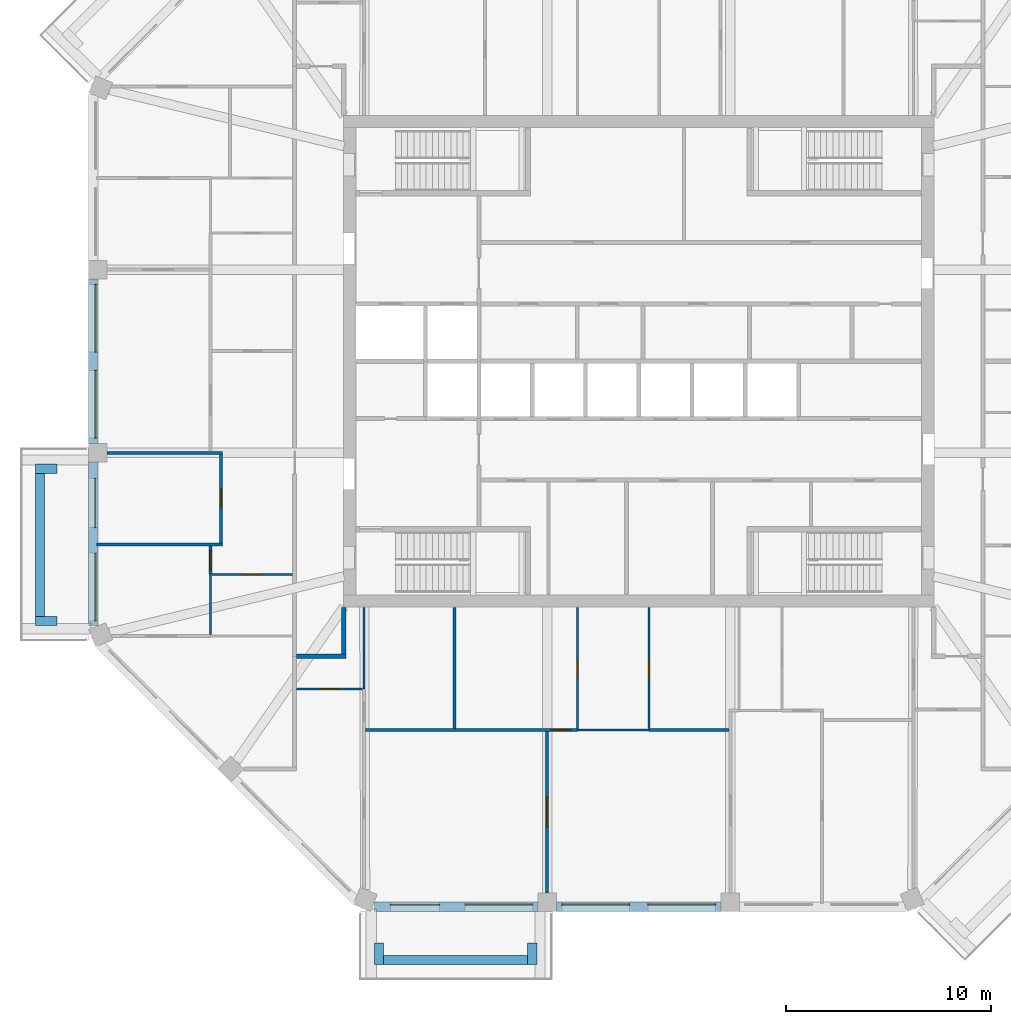
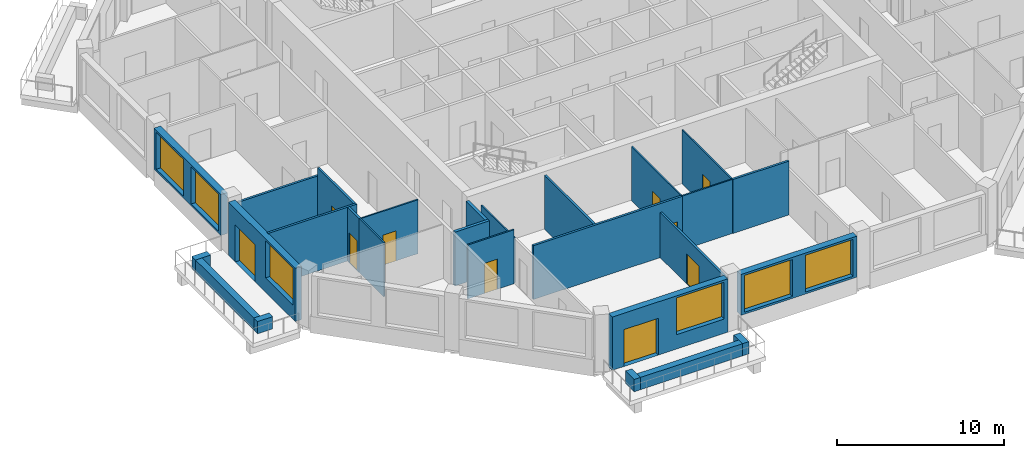
# One storey, part 3 of 11: 27 walls, 10 doors, 6 windows, 16 openings.
"""IFC4 building model written with IfcOpenShell, lengths in metres."""

from ifc_helpers import new_model, si_unit, direction, frame, frame_2d, origin, place, context, subcontext, project, spatial, rectangle, extrude, material, layer, layer_set, type_object, element, fill, save


model = new_model("IFC4")

# Units and contexts
model_context = context("Model", 3, precision=1e-05, world=origin(), true_north=direction((0.0, 1.0)))
body_context = subcontext(model_context, "Body", "Model", "MODEL_VIEW")
ifc_project = project(units=[si_unit("LENGTHUNIT", "METRE"), si_unit("AREAUNIT", "SQUARE_METRE"), si_unit("VOLUMEUNIT", "CUBIC_METRE"), si_unit("PLANEANGLEUNIT", "RADIAN"), si_unit("MASSUNIT", "GRAM", prefix="KILO")], contexts=[model_context])

# Site, building, storey
site_placement = place(None, origin())
site = spatial("IfcSite", under=ifc_project, at=site_placement, CompositionType="ELEMENT")
building_placement = place(site_placement, origin())
building = spatial("IfcBuilding", under=site, at=building_placement, Name="Msitu Wima Residences", CompositionType="ELEMENT")
storey_placement = place(building_placement, frame((0.0, 0.0, 268.5)))
storey = spatial("IfcBuildingStorey", under=building, at=storey_placement, Name="L62", CompositionType="ELEMENT", Elevation=268.5)

# Walls
ifc_material_1 = material(Name="Facing brick")
ifc_layer_1 = layer(ifc_material_1, 0.06494140625, Name="Facing brick")
ifc_material_2 = material(Name="Concrete C40/50", Category="concrete")
ifc_layer_2 = layer(ifc_material_2, 0.156005859375, Name="Concrete C40/50")
ifc_material_3 = material(Name="Waterproofing membrane")
ifc_layer_3 = layer(ifc_material_3, 0.00390625, Name="Waterproofing membrane")
ifc_material_4 = material(Name="Planting soil and planting")
ifc_layer_4 = layer(ifc_material_4, 0.22509765625, Name="Planting soil and planting")
ifc_layer_set_1 = layer_set([ifc_layer_1, ifc_layer_2, ifc_layer_3, ifc_layer_4], Name="Concrete C40/50")
wall_type_1 = type_object("IfcWallType", Name="Balcony planter PLANTER PL450", PredefinedType="USERDEFINED", material=ifc_layer_set_1)
wall_1_placement = place(storey_placement, frame((-29.22509765625, -5.468505859375, 0.0), z_axis=(0.0, 0.0, 1.0), x_axis=(0.0, -1.0, 0.0)))
element("IfcWall", 1, at=wall_1_placement, inside=storey, type_object=wall_type_1, Name="Balcony planter W2 L62", ObjectType="PLANTER", PredefinedType="USERDEFINED", context=body_context, shape_type="SweptSolid", body=[
    extrude(rectangle(XDim=6.9873046875, YDim=0.449951171875, at=frame_2d((3.49365234375, 0.0))), origin(), (0.0, 0.0, 1.0), 0.89990234375),
])
for number, where, z_axis, x_axis, name in (
    (2, (-28.39990234375, -5.24365234375, 0.0), (0.0, 0.0, 1.0), (-1.0, 0.0, 0.0), "Balcony planter W2 L62"),
    (3, (-28.39990234375, -12.680908203125, 0.0), (0.0, 0.0, 1.0), (-1.0, 0.0, 0.0), "Balcony planter W2 L62"),
):
    element("IfcWall", number, at=place(storey_placement, frame(where, z_axis=z_axis, x_axis=x_axis)), inside=storey, type_object=wall_type_1, Name=name, ObjectType="PLANTER", PredefinedType="USERDEFINED", context=body_context, shape_type="SweptSolid", body=[
        extrude(rectangle(XDim=1.050048828125, YDim=0.449951171875, at=frame_2d((0.52490234375, 0.0))), origin(), (0.0, 0.0, 1.0), 0.89990234375),
    ])
wall_2_placement = place(storey_placement, frame((-12.455810546875, -29.22509765625, 0.0), z_axis=(0.0, 0.0, 1.0), x_axis=(1.0, 0.0, 0.0)))
element("IfcWall", 4, at=wall_2_placement, inside=storey, type_object=wall_type_1, Name="Balcony planter S0 L62", ObjectType="PLANTER", PredefinedType="USERDEFINED", context=body_context, shape_type="SweptSolid", body=[
    extrude(rectangle(XDim=7.037109375, YDim=0.449951171875, at=frame_2d((3.5185546875, 0.0))), origin(), (0.0, 0.0, 1.0), 0.89990234375),
])
for number, where, z_axis, x_axis, name in (
    (5, (-12.680908203125, -28.39990234375, 0.0), (0.0, 0.0, 1.0), (0.0, -1.0, 0.0), "Balcony planter S0 L62"),
    (6, (-5.193603515625, -28.39990234375, 0.0), (0.0, 0.0, 1.0), (0.0, -1.0, 0.0), "Balcony planter S0 L62"),
):
    element("IfcWall", number, at=place(storey_placement, frame(where, z_axis=z_axis, x_axis=x_axis)), inside=storey, type_object=wall_type_1, Name=name, ObjectType="PLANTER", PredefinedType="USERDEFINED", context=body_context, shape_type="SweptSolid", body=[
        extrude(rectangle(XDim=1.050048828125, YDim=0.449951171875, at=frame_2d((0.52490234375, 0.0))), origin(), (0.0, 0.0, 1.0), 0.89990234375),
    ])

# Wall, openings, windows
ifc_material_5 = material(Name="Brick (red buff mix)", Category="masonry")
ifc_layer_5 = layer(ifc_material_5, 0.449951171875)
ifc_layer_set_2 = layer_set([ifc_layer_5], Name="Brick (red buff mix)")
wall_type_2 = type_object("IfcWallType", Name="Brick infill wall BW450", PredefinedType="SOLIDWALL", material=ifc_layer_set_2)
wall_3_placement = place(storey_placement, frame((-26.625, 4.0185546875, 0.89990234375), z_axis=(0.0, 0.0, 1.0), x_axis=(0.0, -1.0, 0.0)))
wall_3 = element("IfcWall", 7, at=wall_3_placement, inside=storey, type_object=wall_type_2, Name="Brick infill wall L62 W1", PredefinedType="SOLIDWALL", context=body_context, shape_type="SweptSolid", body=[
    extrude(rectangle(XDim=8.037109375, YDim=0.449951171875, at=frame_2d((4.0185546875, 0.0))), origin(), (0.0, 0.0, 1.0), 3.0),
])
opening_1_placement = place(wall_3_placement, frame((0.2685546875, 0.0, 0.14990234375)))
opening_1 = element("IfcOpeningElement", 8, at=opening_1_placement, cuts=wall_3, Name="Opening W60-62.031", PredefinedType="OPENING", context=body_context, shape_type="SweptSolid", body=[
    extrude(rectangle(XDim=3.300048828125, YDim=2.699951171875, at=frame_2d((1.64990234375, 1.35009765625))), frame((0.0, 0.23486328125, 0.0), z_axis=(0.0, -1.0, 0.0), x_axis=(1.0, 0.0, 0.0)), (0.0, 0.0, 1.0), 0.469970703125),
])
opening_2_placement = place(wall_3_placement, frame((4.46875, 0.0, 0.14990234375)))
opening_2 = element("IfcOpeningElement", 9, at=opening_2_placement, cuts=wall_3, Name="Opening W60-62.032", PredefinedType="OPENING", context=body_context, shape_type="SweptSolid", body=[
    extrude(rectangle(XDim=3.300048828125, YDim=2.699951171875, at=frame_2d((1.64990234375, 1.35009765625))), frame((0.0, 0.23486328125, 0.0), z_axis=(0.0, -1.0, 0.0), x_axis=(1.0, 0.0, 0.0)), (0.0, 0.0, 1.0), 0.469970703125),
])
ifc_material_6 = material(Name="Anodised aluminium, bronze finish, clear low-emissivity double glazing", Category="aluminium")
window_type = type_object("IfcWindowType", Name="Window W3300x2700", PartitioningType="DOUBLE_PANEL_VERTICAL", PredefinedType="WINDOW", material=ifc_material_6)
window_1_placement = place(opening_1_placement, origin())
window_1 = element("IfcWindow", 10, at=window_1_placement, inside=storey, type_object=window_type, Name="Window L62 W1.1", OverallHeight=2.699951171875, OverallWidth=3.300048828125, PartitioningType="SINGLE_PANEL", PredefinedType="WINDOW", context=body_context, shape_type="SweptSolid", body=[
    extrude(rectangle(XDim=3.300048828125, YDim=2.699951171875, at=frame_2d((1.64990234375, 1.35009765625))), frame((0.0, 0.135009765625, 0.0), z_axis=(0.0, -1.0, 0.0), x_axis=(1.0, 0.0, 0.0)), (0.0, 0.0, 1.0), 0.06005859375),
])
fill(opening_1, window_1)
window_2_placement = place(opening_2_placement, origin())
window_2 = element("IfcWindow", 11, at=window_2_placement, inside=storey, type_object=window_type, Name="Window L62 W1.2", OverallHeight=2.699951171875, OverallWidth=3.300048828125, PartitioningType="SINGLE_PANEL", PredefinedType="WINDOW", context=body_context, shape_type="SweptSolid", body=[
    extrude(rectangle(XDim=3.300048828125, YDim=2.699951171875, at=frame_2d((1.64990234375, 1.35009765625))), frame((0.0, 0.135009765625, 0.0), z_axis=(0.0, -1.0, 0.0), x_axis=(1.0, 0.0, 0.0)), (0.0, 0.0, 1.0), 0.06005859375),
])
fill(opening_2, window_2)

# Wall, openings, door, window
wall_4_placement = place(storey_placement, frame((-26.625, -4.918701171875, 0.0), z_axis=(0.0, 0.0, 1.0), x_axis=(0.0, -1.0, 0.0)))
wall_4 = element("IfcWall", 12, at=wall_4_placement, inside=storey, type_object=wall_type_2, Name="Brick infill wall L62 W2", PredefinedType="SOLIDWALL", context=body_context, shape_type="SweptSolid", body=[
    extrude(rectangle(XDim=8.0, YDim=0.449951171875, at=frame_2d((4.0, 0.0))), origin(), (0.0, 0.0, 1.0), 3.89990234375),
])
opening_3_placement = place(wall_4_placement, frame((0.800048828125, 0.0, 0.0)))
opening_3 = element("IfcOpeningElement", 13, at=opening_3_placement, cuts=wall_4, Name="Opening D60-62.007", PredefinedType="OPENING", context=body_context, shape_type="SweptSolid", body=[
    extrude(rectangle(XDim=2.39990234375, YDim=2.699951171875, at=frame_2d((1.199951171875, 1.35009765625))), frame((0.0, 0.23486328125, 0.0), z_axis=(0.0, -1.0, 0.0), x_axis=(1.0, 0.0, 0.0)), (0.0, 0.0, 1.0), 0.469970703125),
])
opening_4_placement = place(wall_4_placement, frame((4.4501953125, 0.0, 1.050048828125)))
opening_4 = element("IfcOpeningElement", 14, at=opening_4_placement, cuts=wall_4, Name="Opening W60-62.033", PredefinedType="OPENING", context=body_context, shape_type="SweptSolid", body=[
    extrude(rectangle(XDim=3.300048828125, YDim=2.699951171875, at=frame_2d((1.64990234375, 1.35009765625))), frame((0.0, 0.23486328125, 0.0), z_axis=(0.0, -1.0, 0.0), x_axis=(1.0, 0.0, 0.0)), (0.0, 0.0, 1.0), 0.469970703125),
])
door_type_1 = type_object("IfcDoorType", Name="Balcony door D2400x2700", OperationType="SLIDING_TO_LEFT", PredefinedType="DOOR", material=ifc_material_6)
door_1_placement = place(opening_3_placement, origin())
door_1 = element("IfcDoor", 15, at=door_1_placement, inside=storey, type_object=door_type_1, Name="Balcony door L62 W2", OperationType="SINGLE_SWING_LEFT", OverallHeight=2.699951171875, OverallWidth=2.39990234375, PredefinedType="DOOR", context=body_context, shape_type="SweptSolid", body=[
    extrude(rectangle(XDim=2.39990234375, YDim=2.699951171875, at=frame_2d((1.199951171875, 1.35009765625))), frame((0.0, 0.1298828125, 0.0), z_axis=(0.0, -1.0, 0.0), x_axis=(1.0, 0.0, 0.0)), (0.0, 0.0, 1.0), 0.050048828125),
])
fill(opening_3, door_1)
window_3_placement = place(opening_4_placement, origin())
window_3 = element("IfcWindow", 16, at=window_3_placement, inside=storey, type_object=window_type, Name="Window L62 W2.2", OverallHeight=2.699951171875, OverallWidth=3.300048828125, PartitioningType="SINGLE_PANEL", PredefinedType="WINDOW", context=body_context, shape_type="SweptSolid", body=[
    extrude(rectangle(XDim=3.300048828125, YDim=2.699951171875, at=frame_2d((1.64990234375, 1.35009765625))), frame((0.0, 0.135009765625, 0.0), z_axis=(0.0, -1.0, 0.0), x_axis=(1.0, 0.0, 0.0)), (0.0, 0.0, 1.0), 0.06005859375),
])
fill(opening_4, window_3)

wall_5_placement = place(storey_placement, frame((-12.918701171875, -26.625, 0.0), z_axis=(0.0, 0.0, 1.0), x_axis=(1.0, 0.0, 0.0)))
wall_5 = element("IfcWall", 17, at=wall_5_placement, inside=storey, type_object=wall_type_2, Name="Brick infill wall L62 S0", PredefinedType="SOLIDWALL", context=body_context, shape_type="SweptSolid", body=[
    extrude(rectangle(XDim=8.0, YDim=0.449951171875, at=frame_2d((4.0, 0.0))), origin(), (0.0, 0.0, 1.0), 3.89990234375),
])
opening_5_placement = place(wall_5_placement, frame((0.800048828125, 0.0, 0.0)))
opening_5 = element("IfcOpeningElement", 18, at=opening_5_placement, cuts=wall_5, Name="Opening D60-62.005", PredefinedType="OPENING", context=body_context, shape_type="SweptSolid", body=[
    extrude(rectangle(XDim=2.39990234375, YDim=2.699951171875, at=frame_2d((1.199951171875, 1.35009765625))), frame((0.0, 0.23486328125, 0.0), z_axis=(0.0, -1.0, 0.0), x_axis=(1.0, 0.0, 0.0)), (0.0, 0.0, 1.0), 0.469970703125),
])
opening_6_placement = place(wall_5_placement, frame((4.4501953125, 0.0, 1.050048828125)))
opening_6 = element("IfcOpeningElement", 19, at=opening_6_placement, cuts=wall_5, Name="Opening W60-62.017", PredefinedType="OPENING", context=body_context, shape_type="SweptSolid", body=[
    extrude(rectangle(XDim=3.300048828125, YDim=2.699951171875, at=frame_2d((1.64990234375, 1.35009765625))), frame((0.0, 0.23486328125, 0.0), z_axis=(0.0, -1.0, 0.0), x_axis=(1.0, 0.0, 0.0)), (0.0, 0.0, 1.0), 0.469970703125),
])
door_2_placement = place(opening_5_placement, origin())
door_2 = element("IfcDoor", 20, at=door_2_placement, inside=storey, type_object=door_type_1, Name="Balcony door L62 S0", OperationType="SINGLE_SWING_LEFT", OverallHeight=2.699951171875, OverallWidth=2.39990234375, PredefinedType="DOOR", context=body_context, shape_type="SweptSolid", body=[
    extrude(rectangle(XDim=2.39990234375, YDim=2.699951171875, at=frame_2d((1.199951171875, 1.35009765625))), frame((0.0, 0.1298828125, 0.0), z_axis=(0.0, -1.0, 0.0), x_axis=(1.0, 0.0, 0.0)), (0.0, 0.0, 1.0), 0.050048828125),
])
fill(opening_5, door_2)
window_4_placement = place(opening_6_placement, origin())
window_4 = element("IfcWindow", 21, at=window_4_placement, inside=storey, type_object=window_type, Name="Window L62 S0.2", OverallHeight=2.699951171875, OverallWidth=3.300048828125, PartitioningType="SINGLE_PANEL", PredefinedType="WINDOW", context=body_context, shape_type="SweptSolid", body=[
    extrude(rectangle(XDim=3.300048828125, YDim=2.699951171875, at=frame_2d((1.64990234375, 1.35009765625))), frame((0.0, 0.135009765625, 0.0), z_axis=(0.0, -1.0, 0.0), x_axis=(1.0, 0.0, 0.0)), (0.0, 0.0, 1.0), 0.06005859375),
])
fill(opening_6, window_4)

# Wall, openings, windows
wall_6_placement = place(storey_placement, frame((-4.0185546875, -26.625, 0.89990234375), z_axis=(0.0, 0.0, 1.0), x_axis=(1.0, 0.0, 0.0)))
wall_6 = element("IfcWall", 22, at=wall_6_placement, inside=storey, type_object=wall_type_2, Name="Brick infill wall L62 S1", PredefinedType="SOLIDWALL", context=body_context, shape_type="SweptSolid", body=[
    extrude(rectangle(XDim=8.037109375, YDim=0.449951171875, at=frame_2d((4.0185546875, 0.0))), origin(), (0.0, 0.0, 1.0), 3.0),
])
opening_7_placement = place(wall_6_placement, frame((0.2685546875, 0.0, 0.14990234375)))
opening_7 = element("IfcOpeningElement", 23, at=opening_7_placement, cuts=wall_6, Name="Opening W60-62.018", PredefinedType="OPENING", context=body_context, shape_type="SweptSolid", body=[
    extrude(rectangle(XDim=3.300048828125, YDim=2.699951171875, at=frame_2d((1.64990234375, 1.35009765625))), frame((0.0, 0.23486328125, 0.0), z_axis=(0.0, -1.0, 0.0), x_axis=(1.0, 0.0, 0.0)), (0.0, 0.0, 1.0), 0.469970703125),
])
opening_8_placement = place(wall_6_placement, frame((4.46875, 0.0, 0.14990234375)))
opening_8 = element("IfcOpeningElement", 24, at=opening_8_placement, cuts=wall_6, Name="Opening W60-62.019", PredefinedType="OPENING", context=body_context, shape_type="SweptSolid", body=[
    extrude(rectangle(XDim=3.300048828125, YDim=2.699951171875, at=frame_2d((1.64990234375, 1.35009765625))), frame((0.0, 0.23486328125, 0.0), z_axis=(0.0, -1.0, 0.0), x_axis=(1.0, 0.0, 0.0)), (0.0, 0.0, 1.0), 0.469970703125),
])
window_5_placement = place(opening_7_placement, origin())
window_5 = element("IfcWindow", 25, at=window_5_placement, inside=storey, type_object=window_type, Name="Window L62 S1.1", OverallHeight=2.699951171875, OverallWidth=3.300048828125, PartitioningType="SINGLE_PANEL", PredefinedType="WINDOW", context=body_context, shape_type="SweptSolid", body=[
    extrude(rectangle(XDim=3.300048828125, YDim=2.699951171875, at=frame_2d((1.64990234375, 1.35009765625))), frame((0.0, 0.135009765625, 0.0), z_axis=(0.0, -1.0, 0.0), x_axis=(1.0, 0.0, 0.0)), (0.0, 0.0, 1.0), 0.06005859375),
])
fill(opening_7, window_5)
window_6_placement = place(opening_8_placement, origin())
window_6 = element("IfcWindow", 26, at=window_6_placement, inside=storey, type_object=window_type, Name="Window L62 S1.2", OverallHeight=2.699951171875, OverallWidth=3.300048828125, PartitioningType="SINGLE_PANEL", PredefinedType="WINDOW", context=body_context, shape_type="SweptSolid", body=[
    extrude(rectangle(XDim=3.300048828125, YDim=2.699951171875, at=frame_2d((1.64990234375, 1.35009765625))), frame((0.0, 0.135009765625, 0.0), z_axis=(0.0, -1.0, 0.0), x_axis=(1.0, 0.0, 0.0)), (0.0, 0.0, 1.0), 0.06005859375),
])
fill(opening_8, window_6)

# Walls
ifc_material_7 = material(Name="Plaster")
ifc_layer_6 = layer(ifc_material_7, 0.011962890625, Name="Plaster")
ifc_material_8 = material(Name="Concrete blockwork", Category="masonry")
ifc_layer_7 = layer(ifc_material_8, 0.176025390625, Name="Concrete blockwork")
ifc_layer_8 = layer(ifc_material_7, 0.011962890625, Name="Plaster")
ifc_layer_set_3 = layer_set([ifc_layer_6, ifc_layer_7, ifc_layer_8], Name="Concrete blockwork")
wall_type_3 = type_object("IfcWallType", Name="Corridor wall FW200", PredefinedType="PARTITIONING", material=ifc_layer_set_3)
wall_7_placement = place(storey_placement, frame((-16.699951171875, -14.39990234375, 0.0), z_axis=(0.0, 0.0, 1.0), x_axis=(1.0, 0.0, 0.0)))
element("IfcWall", 27, at=wall_7_placement, inside=storey, type_object=wall_type_3, Name="Corridor wall", PredefinedType="PARTITIONING", context=body_context, shape_type="SweptSolid", body=[
    extrude(rectangle(XDim=2.39990234375, YDim=0.199951171875, at=frame_2d((1.199951171875, 0.0))), origin(), (0.0, 0.0, 1.0), 3.949951171875),
])
wall_8_placement = place(storey_placement, frame((-14.39990234375, -14.300048828125, 0.0), z_axis=(0.0, 0.0, 1.0), x_axis=(0.0, 1.0, 0.0)))
element("IfcWall", 28, at=wall_8_placement, inside=storey, type_object=wall_type_3, Name="Corridor wall", PredefinedType="PARTITIONING", context=body_context, shape_type="SweptSolid", body=[
    extrude(rectangle(XDim=2.27001953125, YDim=0.199951171875, at=frame_2d((1.135009765625, 0.0))), origin(), (0.0, 0.0, 1.0), 3.949951171875),
])
ifc_layer_9 = layer(ifc_material_7, 0.011962890625, Name="Plaster")
ifc_layer_10 = layer(ifc_material_8, 0.1259765625, Name="Concrete blockwork")
ifc_layer_11 = layer(ifc_material_7, 0.011962890625, Name="Plaster")
ifc_layer_set_4 = layer_set([ifc_layer_9, ifc_layer_10, ifc_layer_11], Name="Concrete blockwork")
wall_type_4 = type_object("IfcWallType", Name="Partition PW150", PredefinedType="PARTITIONING", material=ifc_layer_set_4)
wall_9_placement = place(storey_placement, frame((-26.455078125, -8.937255859375, 0.0), z_axis=(0.0, 0.0, 1.0), x_axis=(1.0, 0.0, 0.0)))
element("IfcWall", 29, at=wall_9_placement, inside=storey, type_object=wall_type_4, Name="Partition", PredefinedType="PARTITIONING", context=body_context, shape_type="SweptSolid", body=[
    extrude(rectangle(XDim=6.130126953125, YDim=0.14990234375, at=frame_2d((3.06494140625, 0.0))), origin(), (0.0, 0.0, 1.0), 3.949951171875),
])
wall_10_placement = place(storey_placement, frame((-25.949951171875, -4.46875, 0.0), z_axis=(0.0, 0.0, 1.0), x_axis=(1.0, 0.0, 0.0)))
element("IfcWall", 30, at=wall_10_placement, inside=storey, type_object=wall_type_4, Name="Partition", PredefinedType="PARTITIONING", context=body_context, shape_type="SweptSolid", body=[
    extrude(rectangle(XDim=5.625, YDim=0.14990234375, at=frame_2d((2.8125, 0.0))), origin(), (0.0, 0.0, 1.0), 3.35009765625),
])

# Wall, opening, door
wall_11_placement = place(storey_placement, frame((-20.89990234375, -10.3798828125, 0.0), z_axis=(0.0, 0.0, 1.0), x_axis=(0.0, 1.0, 0.0)))
wall_11 = element("IfcWall", 31, at=wall_11_placement, inside=storey, type_object=wall_type_4, Name="Partition", PredefinedType="PARTITIONING", context=body_context, shape_type="SweptSolid", body=[
    extrude(rectangle(XDim=1.36767578125, YDim=0.14990234375, at=frame_2d((0.683837890625, 0.0))), origin(), (0.0, 0.0, 1.0), 3.949951171875),
])
opening_9_placement = place(wall_11_placement, frame((0.199951171875, 0.0, 0.0)))
opening_9 = element("IfcOpeningElement", 32, at=opening_9_placement, cuts=wall_11, Name="Opening D60-62.046", PredefinedType="OPENING", context=body_context, shape_type="SweptSolid", body=[
    extrude(rectangle(XDim=0.949951171875, YDim=2.199951171875, at=frame_2d((0.47509765625, 1.10009765625))), frame((0.0, 0.0849609375, 0.0), z_axis=(0.0, -1.0, 0.0), x_axis=(1.0, 0.0, 0.0)), (0.0, 0.0, 1.0), 0.169921875),
])
ifc_material_9 = material(Name="Timber flush door", Category="wood")
door_type_2 = type_object("IfcDoorType", Name="Room door D12 950x2200", OperationType="SINGLE_SWING_LEFT", PredefinedType="DOOR", material=ifc_material_9)
door_3_placement = place(opening_9_placement, origin())
door_3 = element("IfcDoor", 33, at=door_3_placement, inside=storey, type_object=door_type_2, Name="Room door", OperationType="SINGLE_SWING_RIGHT", OverallHeight=2.199951171875, OverallWidth=0.949951171875, PredefinedType="DOOR", context=body_context, shape_type="SweptSolid", body=[
    extrude(rectangle(XDim=0.949951171875, YDim=2.199951171875, at=frame_2d((0.47509765625, 1.10009765625))), frame((0.0, 0.02490234375, 0.0), z_axis=(0.0, -1.0, 0.0), x_axis=(1.0, 0.0, 0.0)), (0.0, 0.0, 1.0), 0.050048828125),
])
fill(opening_9, door_3)

wall_12_placement = place(storey_placement, frame((-20.39990234375, -8.8623046875, 0.0), z_axis=(0.0, 0.0, 1.0), x_axis=(0.0, 1.0, 0.0)))
wall_12 = element("IfcWall", 34, at=wall_12_placement, inside=storey, type_object=wall_type_4, Name="Partition", PredefinedType="PARTITIONING", context=body_context, shape_type="SweptSolid", body=[
    extrude(rectangle(XDim=4.318603515625, YDim=0.14990234375, at=frame_2d((2.1591796875, 0.0))), origin(), (0.0, 0.0, 1.0), 3.949951171875),
])
opening_10_placement = place(wall_12_placement, frame((1.699951171875, 0.0, 0.0)))
opening_10 = element("IfcOpeningElement", 35, at=opening_10_placement, cuts=wall_12, Name="Opening D60-62.045", PredefinedType="OPENING", context=body_context, shape_type="SweptSolid", body=[
    extrude(rectangle(XDim=0.949951171875, YDim=2.199951171875, at=frame_2d((0.47509765625, 1.10009765625))), frame((0.0, 0.0849609375, 0.0), z_axis=(0.0, -1.0, 0.0), x_axis=(1.0, 0.0, 0.0)), (0.0, 0.0, 1.0), 0.169921875),
])
door_4_placement = place(opening_10_placement, origin())
door_4 = element("IfcDoor", 36, at=door_4_placement, inside=storey, type_object=door_type_2, Name="Room door", OperationType="SINGLE_SWING_RIGHT", OverallHeight=2.199951171875, OverallWidth=0.949951171875, PredefinedType="DOOR", context=body_context, shape_type="SweptSolid", body=[
    extrude(rectangle(XDim=0.949951171875, YDim=2.199951171875, at=frame_2d((0.47509765625, 1.10009765625))), frame((0.0, 0.02490234375, 0.0), z_axis=(0.0, -1.0, 0.0), x_axis=(1.0, 0.0, 0.0)), (0.0, 0.0, 1.0), 0.050048828125),
])
fill(opening_10, door_4)

wall_13_placement = place(storey_placement, frame((-13.330810546875, -18.0, 0.0), z_axis=(0.0, 0.0, 1.0), x_axis=(1.0, 0.0, 0.0)))
wall_13 = element("IfcWall", 37, at=wall_13_placement, inside=storey, type_object=wall_type_4, Name="Partition", PredefinedType="PARTITIONING", context=body_context, shape_type="SweptSolid", body=[
    extrude(rectangle(XDim=10.330810546875, YDim=0.14990234375, at=frame_2d((5.16552734375, 0.0))), origin(), (0.0, 0.0, 1.0), 3.949951171875),
])
opening_11_placement = place(wall_13_placement, frame((9.050048828125, 0.0, 0.0)))
opening_11 = element("IfcOpeningElement", 38, at=opening_11_placement, cuts=wall_13, Name="Opening D60-62.062", PredefinedType="OPENING", context=body_context, shape_type="SweptSolid", body=[
    extrude(rectangle(XDim=0.949951171875, YDim=2.199951171875, at=frame_2d((0.47509765625, 1.10009765625))), frame((0.0, 0.0849609375, 0.0), z_axis=(0.0, -1.0, 0.0), x_axis=(1.0, 0.0, 0.0)), (0.0, 0.0, 1.0), 0.169921875),
])
door_5_placement = place(opening_11_placement, origin())
door_5 = element("IfcDoor", 39, at=door_5_placement, inside=storey, type_object=door_type_2, Name="Room door", OperationType="SINGLE_SWING_RIGHT", OverallHeight=2.199951171875, OverallWidth=0.949951171875, PredefinedType="DOOR", context=body_context, shape_type="SweptSolid", body=[
    extrude(rectangle(XDim=0.949951171875, YDim=2.199951171875, at=frame_2d((0.47509765625, 1.10009765625))), frame((0.0, 0.02490234375, 0.0), z_axis=(0.0, -1.0, 0.0), x_axis=(1.0, 0.0, 0.0)), (0.0, 0.0, 1.0), 0.050048828125),
])
fill(opening_11, door_5)

# Wall
wall_14_placement = place(storey_placement, frame((-9.0, -17.925048828125, 0.0), z_axis=(0.0, 0.0, 1.0), x_axis=(0.0, 1.0, 0.0)))
element("IfcWall", 40, at=wall_14_placement, inside=storey, type_object=wall_type_4, Name="Partition", PredefinedType="PARTITIONING", context=body_context, shape_type="SweptSolid", body=[
    extrude(rectangle(XDim=5.89501953125, YDim=0.14990234375, at=frame_2d((2.947509765625, 0.0))), origin(), (0.0, 0.0, 1.0), 3.949951171875),
])

# Wall, opening, door
wall_15_placement = place(storey_placement, frame((-4.46875, -25.949951171875, 0.0), z_axis=(0.0, 0.0, 1.0), x_axis=(0.0, 1.0, 0.0)))
wall_15 = element("IfcWall", 41, at=wall_15_placement, inside=storey, type_object=wall_type_4, Name="Partition", PredefinedType="PARTITIONING", context=body_context, shape_type="SweptSolid", body=[
    extrude(rectangle(XDim=7.875, YDim=0.14990234375, at=frame_2d((3.9375, 0.0))), origin(), (0.0, 0.0, 1.0), 3.300048828125),
])
opening_12_placement = place(wall_15_placement, frame((3.199951171875, 0.0, 0.0)))
opening_12 = element("IfcOpeningElement", 42, at=opening_12_placement, cuts=wall_15, Name="Opening D60-62.053", PredefinedType="OPENING", context=body_context, shape_type="SweptSolid", body=[
    extrude(rectangle(XDim=1.5, YDim=2.199951171875, at=frame_2d((0.75, 1.10009765625))), frame((0.0, 0.0849609375, 0.0), z_axis=(0.0, -1.0, 0.0), x_axis=(1.0, 0.0, 0.0)), (0.0, 0.0, 1.0), 0.169921875),
])
ifc_material_10 = material(Name="Timber double door", Category="wood")
door_type_3 = type_object("IfcDoorType", Name="Double door D04 1500x2200", OperationType="DOUBLE_DOOR_SINGLE_SWING", PredefinedType="DOOR", material=ifc_material_10)
door_6_placement = place(opening_12_placement, origin())
door_6 = element("IfcDoor", 43, at=door_6_placement, inside=storey, type_object=door_type_3, Name="Double door", OperationType="DOUBLE_DOOR_SINGLE_SWING", OverallHeight=2.199951171875, OverallWidth=1.5, PredefinedType="DOOR", context=body_context, shape_type="SweptSolid", body=[
    extrude(rectangle(XDim=1.5, YDim=2.199951171875, at=frame_2d((0.75, 1.10009765625))), frame((0.0, 0.02490234375, 0.0), z_axis=(0.0, -1.0, 0.0), x_axis=(1.0, 0.0, 0.0)), (0.0, 0.0, 1.0), 0.050048828125),
])
fill(opening_12, door_6)

# Walls
wall_16_placement = place(storey_placement, frame((0.5, -18.0, 0.0), z_axis=(0.0, 0.0, 1.0), x_axis=(1.0, 0.0, 0.0)))
element("IfcWall", 44, at=wall_16_placement, inside=storey, type_object=wall_type_4, Name="Partition", PredefinedType="PARTITIONING", context=body_context, shape_type="SweptSolid", body=[
    extrude(rectangle(XDim=3.8935546875, YDim=0.14990234375, at=frame_2d((1.94677734375, 0.0))), origin(), (0.0, 0.0, 1.0), 3.949951171875),
])
ifc_material_11 = material(Name="Ceramic tiles")
ifc_layer_12 = layer(ifc_material_11, 0.008056640625, Name="Ceramic tiles")
ifc_material_12 = material(Name="Moisture-resistant board")
ifc_layer_13 = layer(ifc_material_12, 0.012451171875, Name="Moisture-resistant board")
ifc_material_13 = material(Name="Light-gauge stud framing with mineral wool")
ifc_layer_14 = layer(ifc_material_13, 0.06689453125, Name="Light-gauge stud framing with mineral wool")
ifc_layer_15 = layer(ifc_material_12, 0.012451171875, Name="Moisture-resistant board")
ifc_layer_set_5 = layer_set([ifc_layer_12, ifc_layer_13, ifc_layer_14, ifc_layer_15], Name="Light-gauge stud framing with mineral wool")
wall_type_5 = type_object("IfcWallType", Name="Wet wall PW100", PredefinedType="PARTITIONING", material=ifc_layer_set_5)
wall_17_placement = place(storey_placement, frame((-20.89990234375, -13.330810546875, 0.0), z_axis=(0.0, 0.0, 1.0), x_axis=(0.0, 1.0, 0.0)))
element("IfcWall", 45, at=wall_17_placement, inside=storey, type_object=wall_type_5, Name="Wet wall", PredefinedType="PARTITIONING", context=body_context, shape_type="SweptSolid", body=[
    extrude(rectangle(XDim=2.950927734375, YDim=0.10009765625, at=frame_2d((1.4755859375, 0.0))), origin(), (0.0, 0.0, 1.0), 3.949951171875),
])

# Wall, opening, door
wall_18_placement = place(storey_placement, frame((-20.824951171875, -10.39990234375, 0.0), z_axis=(0.0, 0.0, 1.0), x_axis=(1.0, 0.0, 0.0)))
wall_18 = element("IfcWall", 46, at=wall_18_placement, inside=storey, type_object=wall_type_5, Name="Wet wall", PredefinedType="PARTITIONING", context=body_context, shape_type="SweptSolid", body=[
    extrude(rectangle(XDim=3.925048828125, YDim=0.10009765625, at=frame_2d((1.96240234375, 0.0))), origin(), (0.0, 0.0, 1.0), 3.949951171875),
])
opening_13_placement = place(wall_18_placement, frame((1.5, 0.0, 0.0)))
opening_13 = element("IfcOpeningElement", 47, at=opening_13_placement, cuts=wall_18, Name="Opening D60-62.043", PredefinedType="OPENING", context=body_context, shape_type="SweptSolid", body=[
    extrude(rectangle(XDim=0.89990234375, YDim=2.199951171875, at=frame_2d((0.449951171875, 1.10009765625))), frame((0.0, 0.06005859375, 0.0), z_axis=(0.0, -1.0, 0.0), x_axis=(1.0, 0.0, 0.0)), (0.0, 0.0, 1.0), 0.1201171875),
])
ifc_material_14 = material(Name="Timber flush door, moisture resistant", Category="wood")
door_type_4 = type_object("IfcDoorType", Name="Bathroom door D03 900x2200", OperationType="SINGLE_SWING_LEFT", PredefinedType="DOOR", material=ifc_material_14)
door_7_placement = place(opening_13_placement, origin())
door_7 = element("IfcDoor", 48, at=door_7_placement, inside=storey, type_object=door_type_4, Name="Bathroom door", OperationType="SINGLE_SWING_RIGHT", OverallHeight=2.199951171875, OverallWidth=0.89990234375, PredefinedType="DOOR", context=body_context, shape_type="SweptSolid", body=[
    extrude(rectangle(XDim=0.89990234375, YDim=2.199951171875, at=frame_2d((0.449951171875, 1.10009765625))), frame((0.0, 0.02490234375, 0.0), z_axis=(0.0, -1.0, 0.0), x_axis=(1.0, 0.0, 0.0)), (0.0, 0.0, 1.0), 0.050048828125),
])
fill(opening_13, door_7)

wall_19_placement = place(storey_placement, frame((-16.699951171875, -16.0, 0.0), z_axis=(0.0, 0.0, 1.0), x_axis=(1.0, 0.0, 0.0)))
wall_19 = element("IfcWall", 49, at=wall_19_placement, inside=storey, type_object=wall_type_5, Name="Wet wall", PredefinedType="PARTITIONING", context=body_context, shape_type="SweptSolid", body=[
    extrude(rectangle(XDim=3.218994140625, YDim=0.10009765625, at=frame_2d((1.609375, 0.0))), origin(), (0.0, 0.0, 1.0), 3.949951171875),
])
opening_14_placement = place(wall_19_placement, frame((1.14990234375, 0.0, 0.0)))
opening_14 = element("IfcOpeningElement", 50, at=opening_14_placement, cuts=wall_19, Name="Opening D60-62.056", PredefinedType="OPENING", context=body_context, shape_type="SweptSolid", body=[
    extrude(rectangle(XDim=0.89990234375, YDim=2.199951171875, at=frame_2d((0.449951171875, 1.10009765625))), frame((0.0, 0.06005859375, 0.0), z_axis=(0.0, -1.0, 0.0), x_axis=(1.0, 0.0, 0.0)), (0.0, 0.0, 1.0), 0.1201171875),
])
door_8_placement = place(opening_14_placement, origin())
door_8 = element("IfcDoor", 51, at=door_8_placement, inside=storey, type_object=door_type_4, Name="Bathroom door", OperationType="SINGLE_SWING_LEFT", OverallHeight=2.199951171875, OverallWidth=0.89990234375, PredefinedType="DOOR", context=body_context, shape_type="SweptSolid", body=[
    extrude(rectangle(XDim=0.89990234375, YDim=2.199951171875, at=frame_2d((0.449951171875, 1.10009765625))), frame((0.0, 0.02490234375, 0.0), z_axis=(0.0, -1.0, 0.0), x_axis=(1.0, 0.0, 0.0)), (0.0, 0.0, 1.0), 0.050048828125),
])
fill(opening_14, door_8)

# Walls
wall_20_placement = place(storey_placement, frame((-13.406005859375, -16.0, 0.0), z_axis=(0.0, 0.0, 1.0), x_axis=(0.0, 1.0, 0.0)))
element("IfcWall", 52, at=wall_20_placement, inside=storey, type_object=wall_type_5, Name="Wet wall", PredefinedType="PARTITIONING", context=body_context, shape_type="SweptSolid", body=[
    extrude(rectangle(XDim=3.969970703125, YDim=0.10009765625, at=frame_2d((1.98486328125, 0.0))), origin(), (0.0, 0.0, 1.0), 3.300048828125),
])
wall_21_placement = place(storey_placement, frame((-3.0, -18.0, 0.0), z_axis=(0.0, 0.0, 1.0), x_axis=(1.0, 0.0, 0.0)))
element("IfcWall", 53, at=wall_21_placement, inside=storey, type_object=wall_type_5, Name="Wet wall", PredefinedType="PARTITIONING", context=body_context, shape_type="SweptSolid", body=[
    extrude(rectangle(XDim=3.5, YDim=0.10009765625, at=frame_2d((1.75, 0.0))), origin(), (0.0, 0.0, 1.0), 3.949951171875),
])

# Wall, opening, door
wall_22_placement = place(storey_placement, frame((-3.0, -17.949951171875, 0.0), z_axis=(0.0, 0.0, 1.0), x_axis=(0.0, 1.0, 0.0)))
wall_22 = element("IfcWall", 54, at=wall_22_placement, inside=storey, type_object=wall_type_5, Name="Wet wall", PredefinedType="PARTITIONING", context=body_context, shape_type="SweptSolid", body=[
    extrude(rectangle(XDim=5.919921875, YDim=0.10009765625, at=frame_2d((2.9599609375, 0.0))), origin(), (0.0, 0.0, 1.0), 3.949951171875),
])
opening_15_placement = place(wall_22_placement, frame((2.5, 0.0, 0.0)))
opening_15 = element("IfcOpeningElement", 55, at=opening_15_placement, cuts=wall_22, Name="Opening D60-62.063", PredefinedType="OPENING", context=body_context, shape_type="SweptSolid", body=[
    extrude(rectangle(XDim=0.89990234375, YDim=2.199951171875, at=frame_2d((0.449951171875, 1.10009765625))), frame((0.0, 0.06005859375, 0.0), z_axis=(0.0, -1.0, 0.0), x_axis=(1.0, 0.0, 0.0)), (0.0, 0.0, 1.0), 0.1201171875),
])
door_type_5 = type_object("IfcDoorType", Name="Service door D05 900x2200", OperationType="SINGLE_SWING_LEFT", PredefinedType="DOOR", material=ifc_material_9)
door_9_placement = place(opening_15_placement, origin())
door_9 = element("IfcDoor", 56, at=door_9_placement, inside=storey, type_object=door_type_5, Name="Service door", OperationType="SINGLE_SWING_LEFT", OverallHeight=2.199951171875, OverallWidth=0.89990234375, PredefinedType="DOOR", context=body_context, shape_type="SweptSolid", body=[
    extrude(rectangle(XDim=0.89990234375, YDim=2.199951171875, at=frame_2d((0.449951171875, 1.10009765625))), frame((0.0, 0.02490234375, 0.0), z_axis=(0.0, -1.0, 0.0), x_axis=(1.0, 0.0, 0.0)), (0.0, 0.0, 1.0), 0.050048828125),
])
fill(opening_15, door_9)

wall_23_placement = place(storey_placement, frame((0.5, -17.925048828125, 0.0), z_axis=(0.0, 0.0, 1.0), x_axis=(0.0, 1.0, 0.0)))
wall_23 = element("IfcWall", 57, at=wall_23_placement, inside=storey, type_object=wall_type_5, Name="Wet wall", PredefinedType="PARTITIONING", context=body_context, shape_type="SweptSolid", body=[
    extrude(rectangle(XDim=5.89501953125, YDim=0.10009765625, at=frame_2d((2.947509765625, 0.0))), origin(), (0.0, 0.0, 1.0), 3.949951171875),
])
opening_16_placement = place(wall_23_placement, frame((2.5, 0.0, 0.0)))
opening_16 = element("IfcOpeningElement", 58, at=opening_16_placement, cuts=wall_23, Name="Opening D60-62.064", PredefinedType="OPENING", context=body_context, shape_type="SweptSolid", body=[
    extrude(rectangle(XDim=0.89990234375, YDim=2.199951171875, at=frame_2d((0.449951171875, 1.10009765625))), frame((0.0, 0.06005859375, 0.0), z_axis=(0.0, -1.0, 0.0), x_axis=(1.0, 0.0, 0.0)), (0.0, 0.0, 1.0), 0.1201171875),
])
door_10_placement = place(opening_16_placement, origin())
door_10 = element("IfcDoor", 59, at=door_10_placement, inside=storey, type_object=door_type_5, Name="Service door", OperationType="SINGLE_SWING_RIGHT", OverallHeight=2.199951171875, OverallWidth=0.89990234375, PredefinedType="DOOR", context=body_context, shape_type="SweptSolid", body=[
    extrude(rectangle(XDim=0.89990234375, YDim=2.199951171875, at=frame_2d((0.449951171875, 1.10009765625))), frame((0.0, 0.02490234375, 0.0), z_axis=(0.0, -1.0, 0.0), x_axis=(1.0, 0.0, 0.0)), (0.0, 0.0, 1.0), 0.050048828125),
])
fill(opening_16, door_10)

save(model, "model.ifc")
